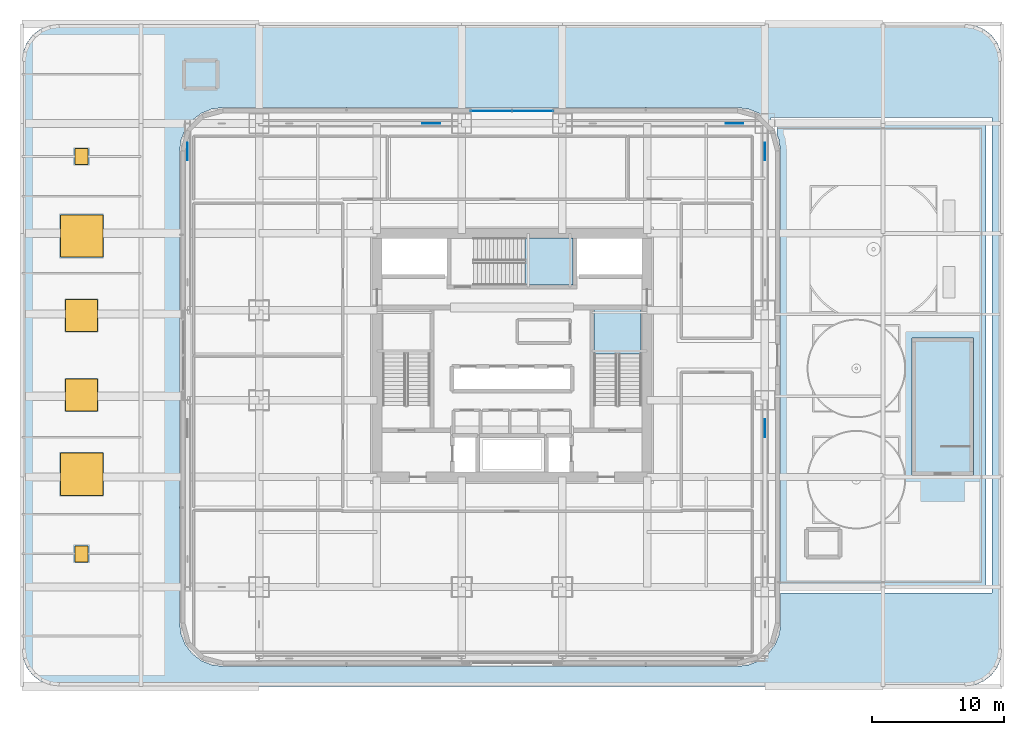
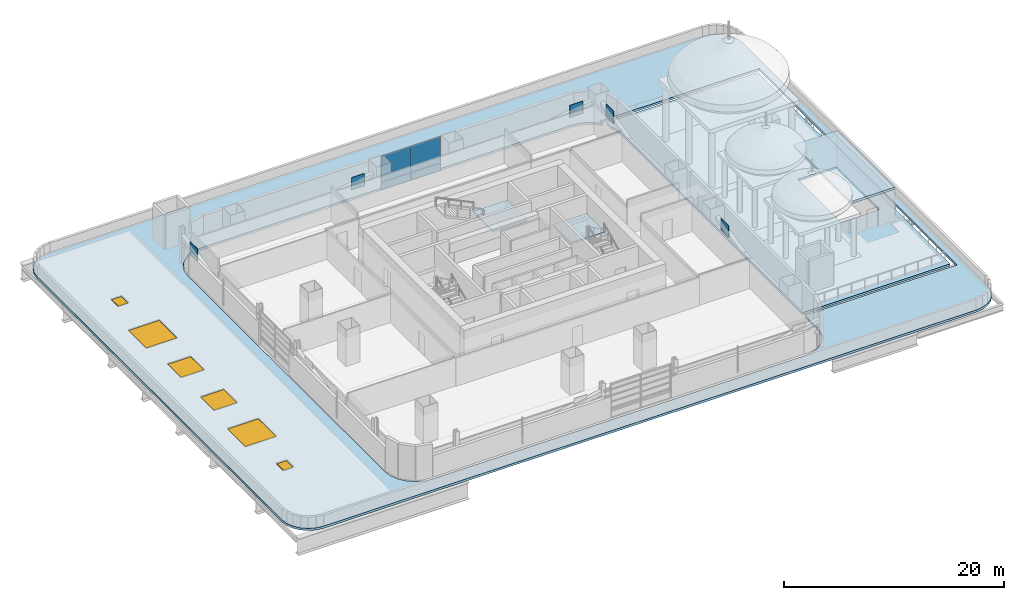
# One storey, part 10 of 30: 9 plates, 5 slabs, 4 windows, 2 doors, 6 openings, 3 elements without a shape of their own.
"""IFC4 building model written with IfcOpenShell, lengths in metres."""

from ifc_helpers import new_model, si_unit, direction, frame, origin, origin_2d, place, context, subcontext, project, spatial, polyline, rectangle, outline, extrude, material, layer, layer_set, type_object, element, fill, aggregate, save


model = new_model("IFC4")

# Units and contexts
model_context = context("Model", 3, precision=1e-05, world=origin(), true_north=direction((0.0, 1.0)))
body_context = subcontext(model_context, "Body", "Model", "MODEL_VIEW")
ifc_project = project(units=[si_unit("LENGTHUNIT", "METRE"), si_unit("AREAUNIT", "SQUARE_METRE"), si_unit("VOLUMEUNIT", "CUBIC_METRE"), si_unit("PLANEANGLEUNIT", "RADIAN"), si_unit("MASSUNIT", "GRAM", prefix="KILO")], contexts=[model_context])

# Site, building, storey
site_placement = place(None, origin())
site = spatial("IfcSite", under=ifc_project, at=site_placement, CompositionType="ELEMENT")
building_placement = place(site_placement, origin())
building = spatial("IfcBuilding", under=site, at=building_placement, Name="Punatoya Terracotta Tower", CompositionType="ELEMENT")
storey_placement = place(building_placement, frame((0.0, 0.0, 28.199951171875)))
storey = spatial("IfcBuildingStorey", under=building, at=storey_placement, Name="L05", CompositionType="ELEMENT", Elevation=28.199951171875)

# Curtain wall, plates
ifc_material_1 = material(Name="Aluminium 6063-T6 + Double Low-E Glass", Category="aluminium")
curtain_wall_type = type_object("IfcCurtainWallType", Name="CW-M1", PredefinedType="NOTDEFINED", material=ifc_material_1)
curtain_wall_placement = place(storey_placement, origin())
curtain_wall = element("IfcCurtainWall", 1, at=curtain_wall_placement, inside=storey, type_object=curtain_wall_type, Name="L05 Curtain Wall CW-L05-N09-1", PredefinedType="NOTDEFINED")
ifc_material_2 = material(Name="Double Low-E Clear Vision Glass", Category="glass")
ifc_layer_1 = layer(ifc_material_2, 0.028076171875)
ifc_layer_set_1 = layer_set([ifc_layer_1], Name="Double Low-E Clear Vision Glass")
plate_type_1 = type_object("IfcPlateType", Name="PLT-GLZ-28", PredefinedType="CURTAIN_PANEL", material=ifc_layer_set_1)
plate_1_placement = place(storey_placement, frame((1.574951171875, 18.449951171875, 0.89013671875), z_axis=(0.0, 0.0, 1.0), x_axis=(-1.0, 0.0, 0.0)))
plate_1 = element("IfcPlate", 2, at=plate_1_placement, type_object=plate_type_1, Name="CW-L05-N09-1 Vision Glass Panel 1", PredefinedType="CURTAIN_PANEL", context=body_context, shape_type="SweptSolid", body=[
    extrude(rectangle(XDim=3.06494140625, YDim=0.028076171875, at=origin_2d()), origin(), (0.0, 0.0, 1.0), 2.8798828125),
])
plate_2_placement = place(storey_placement, frame((-1.574951171875, 18.449951171875, 0.89013671875), z_axis=(0.0, 0.0, 1.0), x_axis=(-1.0, 0.0, 0.0)))
plate_2 = element("IfcPlate", 3, at=plate_2_placement, type_object=plate_type_1, Name="CW-L05-N09-1 Vision Glass Panel 2", PredefinedType="CURTAIN_PANEL", context=body_context, shape_type="SweptSolid", body=[
    extrude(rectangle(XDim=3.06494140625, YDim=0.028076171875, at=origin_2d()), origin(), (0.0, 0.0, 1.0), 2.8798828125),
])

# Plates
ifc_material_3 = material(Name="Steel S460", Category="steel")
ifc_layer_2 = layer(ifc_material_3, 0.050048828125)
ifc_layer_set_2 = layer_set([ifc_layer_2], Name="Steel S460")
plate_type_2 = type_object("IfcPlateType", Name="PLT-GUS-50", PredefinedType="USERDEFINED", material=ifc_layer_set_2)
for number, where, z_axis, x_axis, name in (
    (4, (-6.094970703125, 17.5, 1.886474609375), (0.0, 0.0, 1.0), (1.0, 0.0, 0.0), "L05 Exoskeleton Node Gusset Plate N1"),
    (5, (16.804931640625, 17.5, 1.886474609375), (0.0, 0.0, 1.0), (1.0, 0.0, 0.0), "L05 Exoskeleton Node Gusset Plate N3"),
    (6, (-24.5, 15.385009765625, 1.886474609375), (0.0, 0.0, 1.0), (0.0, 1.0, 0.0), "L05 Exoskeleton Node Gusset Plate W3"),
    (7, (19.10009765625, -5.514892578125, 1.886474609375), (0.0, 0.0, 1.0), (0.0, 1.0, 0.0), "L05 Exoskeleton Node Gusset Plate E1"),
    (8, (19.10009765625, 15.385009765625, 1.886474609375), (0.0, 0.0, 1.0), (0.0, 1.0, 0.0), "L05 Exoskeleton Node Gusset Plate E3"),
):
    element("IfcPlate", number, at=place(storey_placement, frame(where, z_axis=z_axis, x_axis=x_axis)), inside=storey, type_object=plate_type_2, Name=name, ObjectType="GUSSET_PLATE", PredefinedType="USERDEFINED", context=body_context, shape_type="SweptSolid", body=[
        extrude(rectangle(XDim=1.35009765625, YDim=0.050048828125, at=origin_2d()), origin(), (0.0, 0.0, 1.0), 1.35009765625),
    ])

# Plate
ifc_material_4 = material(Name="Insulated Terracotta-Backed Spandrel Panel", Category="masonry")
ifc_layer_3 = layer(ifc_material_4, 0.044921875)
ifc_layer_set_3 = layer_set([ifc_layer_3], Name="Insulated Terracotta-Backed Spandrel Panel")
plate_type_3 = type_object("IfcPlateType", Name="PLT-SPN-45", PredefinedType="CURTAIN_PANEL", material=ifc_layer_set_3)
plate_3_placement = place(storey_placement, frame((1.574951171875, 18.449951171875, 0.0400390625), z_axis=(0.0, 0.0, 1.0), x_axis=(-1.0, 0.0, 0.0)))
plate_3 = element("IfcPlate", 9, at=plate_3_placement, type_object=plate_type_3, Name="CW-L05-N09-1 Terracotta Spandrel Panel 1", PredefinedType="CURTAIN_PANEL", context=body_context, shape_type="SweptSolid", body=[
    extrude(rectangle(XDim=3.06494140625, YDim=0.044921875, at=origin_2d()), origin(), (0.0, 0.0, 1.0), 0.77490234375),
])

plate_4_placement = place(storey_placement, frame((-1.574951171875, 18.449951171875, 0.0400390625), z_axis=(0.0, 0.0, 1.0), x_axis=(-1.0, 0.0, 0.0)))
plate_4 = element("IfcPlate", 10, at=plate_4_placement, type_object=plate_type_3, Name="CW-L05-N09-1 Terracotta Spandrel Panel 2", PredefinedType="CURTAIN_PANEL", context=body_context, shape_type="SweptSolid", body=[
    extrude(rectangle(XDim=3.06494140625, YDim=0.044921875, at=origin_2d()), origin(), (0.0, 0.0, 1.0), 0.77490234375),
])

aggregate(curtain_wall, [plate_3, plate_1, plate_4, plate_2])

# Stair, slab
ifc_material_5 = material(Name="Concrete C40/50", Category="concrete")
stair_type_1 = type_object("IfcStairType", Name="STR-TER-1450", PredefinedType="HALF_TURN_STAIR", material=ifc_material_5)
stair_1_placement = place(storey_placement, origin())
stair_1 = element("IfcStair", 11, at=stair_1_placement, inside=storey, type_object=stair_type_1, Name="L05 Protected Core Exit Stair ST-3", PredefinedType="HALF_TURN_STAIR")
ifc_layer_4 = layer(ifc_material_5, 0.1650390625)
ifc_layer_set_4 = layer_set([ifc_layer_4], Name="Concrete C40/50")
slab_type_1 = type_object("IfcSlabType", Name="SLB-LND-165", PredefinedType="LANDING", material=ifc_layer_set_4)
slab_1_placement = place(storey_placement, frame((0.0, 0.0, 1.824951171875)))
slab_1 = element("IfcSlab", 12, at=slab_1_placement, type_object=slab_type_1, Name="ST-3 landing 1", PredefinedType="LANDING", context=body_context, shape_type="SweptSolid", body=[
    extrude(outline(polyline([(1.0, 5.300048828125), (4.60009765625, 5.300048828125), (4.60009765625, 8.85009765625), (1.0, 8.85009765625), (1.0, 5.300048828125)])), origin(), (0.0, 0.0, 1.0), 0.2001953125),
])
aggregate(stair_1, [slab_1])

stair_type_2 = type_object("IfcStairType", Name="STR-LOB-1650", PredefinedType="HALF_TURN_STAIR", material=ifc_material_5)
stair_2_placement = place(storey_placement, origin())
stair_2 = element("IfcStair", 13, at=stair_2_placement, inside=storey, type_object=stair_type_2, Name="L05 Protected Core Exit Stair ST-2", PredefinedType="HALF_TURN_STAIR")
ifc_layer_5 = layer(ifc_material_5, 0.179931640625)
ifc_layer_set_5 = layer_set([ifc_layer_5], Name="Concrete C40/50")
slab_type_2 = type_object("IfcSlabType", Name="SLB-LND-180", PredefinedType="LANDING", material=ifc_layer_set_5)
slab_2_placement = place(storey_placement, frame((0.0, 0.0, 1.824951171875)))
slab_2 = element("IfcSlab", 14, at=slab_2_placement, type_object=slab_type_2, Name="ST-2 landing 1", PredefinedType="LANDING", context=body_context, shape_type="SweptSolid", body=[
    extrude(outline(polyline([(9.75, 0.10009765625), (9.75, 3.449951171875), (6.199951171875, 3.449951171875), (6.199951171875, 0.10009765625), (9.75, 0.10009765625)])), origin(), (0.0, 0.0, 1.0), 0.2001953125),
])
aggregate(stair_2, [slab_2])

# Slab
ifc_layer_6 = layer(ifc_material_5, 0.25)
ifc_layer_set_6 = layer_set([ifc_layer_6], Name="Concrete C40/50")
slab_type_3 = type_object("IfcSlabType", Name="SLB-ROF-250", PredefinedType="ROOF", material=ifc_layer_set_6)
slab_3_placement = place(storey_placement, frame((0.0, 0.0, 3.5)))
element("IfcSlab", 15, at=slab_3_placement, inside=storey, type_object=slab_type_3, Name="L05 Garden Stair ST-P2 Head-House Roof Slab", PredefinedType="ROOF", context=body_context, shape_type="SweptSolid", body=[
    extrude(outline(polyline([(30.199951171875, -9.10009765625), (34.85009765625, -9.10009765625), (34.85009765625, 1.300048828125), (30.199951171875, 1.300048828125), (30.199951171875, -9.10009765625)])), origin(), (0.0, 0.0, 1.0), 0.25),
])

# Slab, openings, doors, windows
slab_4_placement = place(storey_placement, frame((0.0, 0.0, -0.25)))
slab_4 = element("IfcSlab", 16, at=slab_4_placement, inside=storey, type_object=slab_type_3, Name="L05 Podium Plant Deck Slab 1", PredefinedType="ROOF", context=body_context, shape_type="SweptSolid", body=[
    extrude(outline(polyline([(-37.0, 22.199951171875), (-37.0, -22.199951171875), (-36.904541015625, -22.9248046875), (-36.625, -23.60009765625), (-36.179931640625, -24.179931640625), (-35.60009765625, -24.625), (-34.9248046875, -24.904541015625), (-34.199951171875, -25.0), (34.199951171875, -25.0), (34.9248046875, -24.904541015625), (35.60009765625, -24.625), (36.179931640625, -24.179931640625), (36.625, -23.60009765625), (36.904541015625, -22.9248046875), (37.0, -22.199951171875), (37.0, 22.199951171875), (36.904541015625, 22.9248046875), (36.625, 23.60009765625), (36.179931640625, 24.179931640625), (35.60009765625, 24.625), (34.9248046875, 24.904541015625), (34.199951171875, 25.0), (-34.199951171875, 25.0), (-34.9248046875, 24.904541015625), (-35.60009765625, 24.625), (-36.179931640625, 24.179931640625), (-36.625, 23.60009765625), (-36.904541015625, 22.9248046875), (-37.0, 22.199951171875)]), holes=[polyline([(36.25, -17.949951171875), (20.2900390625, -17.949951171875), (20.2900390625, -20.252685546875), (20.179931640625, -21.088623046875), (19.856201171875, -21.8701171875), (19.34130859375, -22.541259765625), (18.670166015625, -23.05615234375), (17.888671875, -23.3798828125), (17.052490234375, -23.489990234375), (-21.8525390625, -23.489990234375), (-22.688720703125, -23.3798828125), (-23.47021484375, -23.05615234375), (-24.14111328125, -22.541259765625), (-24.65625, -21.8701171875), (-24.97998046875, -21.088623046875), (-25.090087890625, -20.252685546875), (-25.090087890625, 15.45263671875), (-24.97998046875, 16.28857421875), (-24.65625, 17.0703125), (-24.14111328125, 17.7412109375), (-23.47021484375, 18.256103515625), (-22.688720703125, 18.580078125), (-21.8525390625, 18.68994140625), (17.052490234375, 18.68994140625), (17.888671875, 18.580078125), (18.670166015625, 18.256103515625), (19.34130859375, 17.7412109375), (19.550048828125, 17.46923828125), (19.550048828125, 17.949951171875), (36.25, 17.949951171875), (36.25, -17.949951171875)]), polyline([(-34.10009765625, -7.39990234375), (-30.89990234375, -7.39990234375), (-30.89990234375, -10.60009765625), (-34.10009765625, -10.60009765625), (-34.10009765625, -7.39990234375)]), polyline([(-34.10009765625, 7.39990234375), (-34.10009765625, 10.60009765625), (-30.89990234375, 10.60009765625), (-30.89990234375, 7.39990234375), (-34.10009765625, 7.39990234375)]), polyline([(-31.300048828125, -1.800048828125), (-31.300048828125, -4.199951171875), (-33.699951171875, -4.199951171875), (-33.699951171875, -1.800048828125), (-31.300048828125, -1.800048828125)]), polyline([(-31.300048828125, 1.800048828125), (-33.699951171875, 1.800048828125), (-33.699951171875, 4.199951171875), (-31.300048828125, 4.199951171875), (-31.300048828125, 1.800048828125)]), polyline([(-33.0, -14.39990234375), (-32.0, -14.39990234375), (-32.0, -15.60009765625), (-33.0, -15.60009765625), (-33.0, -14.39990234375)]), polyline([(-32.0, 15.60009765625), (-32.0, 14.39990234375), (-33.0, 14.39990234375), (-33.0, 15.60009765625), (-32.0, 15.60009765625)])]), origin(), (0.0, 0.0, 1.0), 0.25),
])
opening_1_placement = place(slab_4_placement, frame((-32.5, -9.0, 0.0)))
opening_1 = element("IfcOpeningElement", 17, at=opening_1_placement, cuts=slab_4, Name="Opening SK-01", PredefinedType="OPENING", context=body_context, shape_type="SweptSolid", body=[
    extrude(rectangle(XDim=3.199951171875, YDim=3.199951171875, at=origin_2d()), frame((0.0, 0.0, -0.010009765625)), (0.0, 0.0, 1.0), 0.320068359375),
])
opening_2_placement = place(slab_4_placement, frame((-32.5, -3.0, 0.0)))
opening_2 = element("IfcOpeningElement", 18, at=opening_2_placement, cuts=slab_4, Name="Opening SK-02", PredefinedType="OPENING", context=body_context, shape_type="SweptSolid", body=[
    extrude(rectangle(XDim=2.39990234375, YDim=2.39990234375, at=origin_2d()), frame((0.0, 0.0, -0.010009765625)), (0.0, 0.0, 1.0), 0.320068359375),
])
opening_3_placement = place(slab_4_placement, frame((-32.5, 3.0, 0.0)))
opening_3 = element("IfcOpeningElement", 19, at=opening_3_placement, cuts=slab_4, Name="Opening SK-02", PredefinedType="OPENING", context=body_context, shape_type="SweptSolid", body=[
    extrude(rectangle(XDim=2.39990234375, YDim=2.39990234375, at=origin_2d()), frame((0.0, 0.0, -0.010009765625)), (0.0, 0.0, 1.0), 0.320068359375),
])
opening_4_placement = place(slab_4_placement, frame((-32.5, 9.0, 0.0)))
opening_4 = element("IfcOpeningElement", 20, at=opening_4_placement, cuts=slab_4, Name="Opening SK-01", PredefinedType="OPENING", context=body_context, shape_type="SweptSolid", body=[
    extrude(rectangle(XDim=3.199951171875, YDim=3.199951171875, at=origin_2d()), frame((0.0, 0.0, -0.010009765625)), (0.0, 0.0, 1.0), 0.320068359375),
])
opening_5_placement = place(slab_4_placement, frame((-32.5, -15.0, 0.0)))
opening_5 = element("IfcOpeningElement", 21, at=opening_5_placement, cuts=slab_4, Name="Opening RHT-1", PredefinedType="OPENING", context=body_context, shape_type="SweptSolid", body=[
    extrude(rectangle(XDim=1.0, YDim=1.199951171875, at=origin_2d()), frame((0.0, 0.0, -0.010009765625)), (0.0, 0.0, 1.0), 0.320068359375),
])
opening_6_placement = place(slab_4_placement, frame((-32.5, 15.0, 0.0)))
opening_6 = element("IfcOpeningElement", 22, at=opening_6_placement, cuts=slab_4, Name="Opening RHT-1", PredefinedType="OPENING", context=body_context, shape_type="SweptSolid", body=[
    extrude(rectangle(XDim=1.0, YDim=1.199951171875, at=origin_2d()), frame((0.0, 0.0, -0.010009765625)), (0.0, 0.0, 1.0), 0.320068359375),
])
ifc_material_6 = material(Name="Insulated Aluminium Roof Hatch", Category="aluminium")
door_type = type_object("IfcDoorType", Name="DR-HTCH-1000", OperationType="NOTDEFINED", PredefinedType="TRAPDOOR", material=ifc_material_6)
door_1_placement = place(opening_5_placement, frame((0.0, 0.0, 0.25)))
door_1 = element("IfcDoor", 23, at=door_1_placement, inside=storey, type_object=door_type, Name="L05 Podium Maintenance Roof Access Hatch 1", OperationType="SINGLE_SWING_LEFT", OverallHeight=1.199951171875, OverallWidth=1.0, PredefinedType="TRAPDOOR", context=body_context, shape_type="SweptSolid", body=[
    extrude(rectangle(XDim=1.0, YDim=1.199951171875, at=origin_2d()), origin(), (0.0, 0.0, 1.0), 0.050048828125),
])
fill(opening_5, door_1)
door_2_placement = place(opening_6_placement, frame((0.0, 0.0, 0.25)))
door_2 = element("IfcDoor", 24, at=door_2_placement, inside=storey, type_object=door_type, Name="L05 Podium Maintenance Roof Access Hatch 2", OperationType="SINGLE_SWING_LEFT", OverallHeight=1.199951171875, OverallWidth=1.0, PredefinedType="TRAPDOOR", context=body_context, shape_type="SweptSolid", body=[
    extrude(rectangle(XDim=1.0, YDim=1.199951171875, at=origin_2d()), origin(), (0.0, 0.0, 1.0), 0.050048828125),
])
fill(opening_6, door_2)
window_type_1 = type_object("IfcWindowType", Name="WIN-SKY-2400", PartitioningType="SINGLE_PANEL", PredefinedType="SKYLIGHT", material=ifc_material_1)
window_1_placement = place(opening_2_placement, frame((0.0, 0.0, 0.25)))
window_1 = element("IfcWindow", 25, at=window_1_placement, inside=storey, type_object=window_type_1, Name="L05 West Podium Roof Skylight 2", OverallHeight=2.39990234375, OverallWidth=2.39990234375, PartitioningType="SINGLE_PANEL", PredefinedType="SKYLIGHT", context=body_context, shape_type="SweptSolid", body=[
    extrude(rectangle(XDim=2.39990234375, YDim=2.39990234375, at=origin_2d()), origin(), (0.0, 0.0, 1.0), 0.050048828125),
])
fill(opening_2, window_1)
window_2_placement = place(opening_3_placement, frame((0.0, 0.0, 0.25)))
window_2 = element("IfcWindow", 26, at=window_2_placement, inside=storey, type_object=window_type_1, Name="L05 West Podium Roof Skylight 3", OverallHeight=2.39990234375, OverallWidth=2.39990234375, PartitioningType="SINGLE_PANEL", PredefinedType="SKYLIGHT", context=body_context, shape_type="SweptSolid", body=[
    extrude(rectangle(XDim=2.39990234375, YDim=2.39990234375, at=origin_2d()), origin(), (0.0, 0.0, 1.0), 0.050048828125),
])
fill(opening_3, window_2)
window_type_2 = type_object("IfcWindowType", Name="WIN-SKY-3200", PartitioningType="SINGLE_PANEL", PredefinedType="SKYLIGHT", material=ifc_material_1)
window_3_placement = place(opening_1_placement, frame((0.0, 0.0, 0.25)))
window_3 = element("IfcWindow", 27, at=window_3_placement, inside=storey, type_object=window_type_2, Name="L05 West Podium Roof Skylight 1", OverallHeight=3.199951171875, OverallWidth=3.199951171875, PartitioningType="SINGLE_PANEL", PredefinedType="SKYLIGHT", context=body_context, shape_type="SweptSolid", body=[
    extrude(rectangle(XDim=3.199951171875, YDim=3.199951171875, at=origin_2d()), origin(), (0.0, 0.0, 1.0), 0.050048828125),
])
fill(opening_1, window_3)
window_4_placement = place(opening_4_placement, frame((0.0, 0.0, 0.25)))
window_4 = element("IfcWindow", 28, at=window_4_placement, inside=storey, type_object=window_type_2, Name="L05 West Podium Roof Skylight 4", OverallHeight=3.199951171875, OverallWidth=3.199951171875, PartitioningType="SINGLE_PANEL", PredefinedType="SKYLIGHT", context=body_context, shape_type="SweptSolid", body=[
    extrude(rectangle(XDim=3.199951171875, YDim=3.199951171875, at=origin_2d()), origin(), (0.0, 0.0, 1.0), 0.050048828125),
])
fill(opening_4, window_4)

# Slab
ifc_layer_7 = layer(ifc_material_5, 0.22998046875)
ifc_layer_set_7 = layer_set([ifc_layer_7], Name="Concrete C40/50")
slab_type_4 = type_object("IfcSlabType", Name="SLB-TER-230", PredefinedType="FLOOR", material=ifc_layer_set_7)
slab_5_placement = place(storey_placement, frame((0.0, 0.0, -0.22998046875)))
element("IfcSlab", 29, at=slab_5_placement, inside=storey, type_object=slab_type_4, Name="L05 Podium Charbagh Roof Garden", PredefinedType="FLOOR", context=body_context, shape_type="SweptSolid", body=[
    extrude(outline(polyline([(35.800048828125, 17.5), (35.800048828125, -17.5), (20.27001953125, -17.5), (20.27001953125, 15.451416015625), (20.160400390625, 16.283447265625), (20.0, 16.6708984375), (20.0, 17.5), (35.800048828125, 17.5)]), holes=[polyline([(34.550048828125, 1.0), (30.5, 1.0), (30.5, -6.84912109375), (34.550048828125, -6.84912109375), (34.550048828125, 1.0)])]), origin(), (0.0, 0.0, 1.0), 0.22998046875),
])

save(model, "model.ifc")
